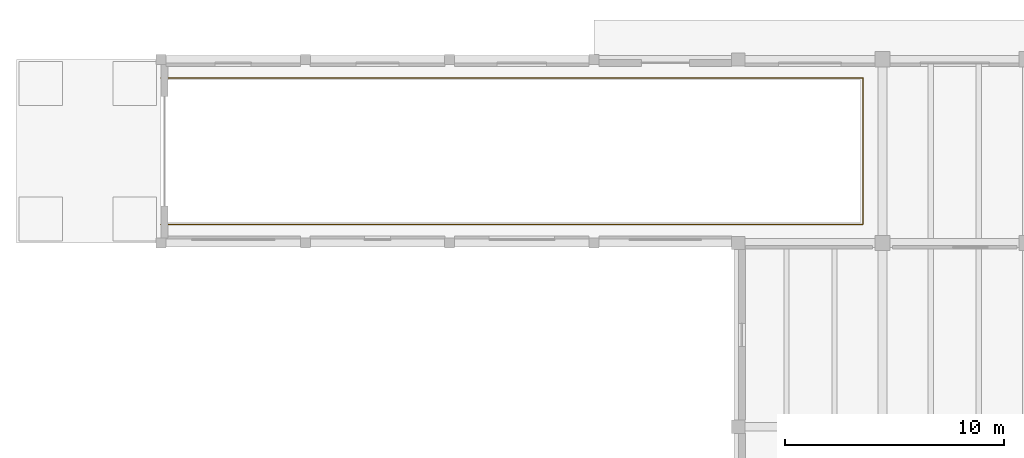
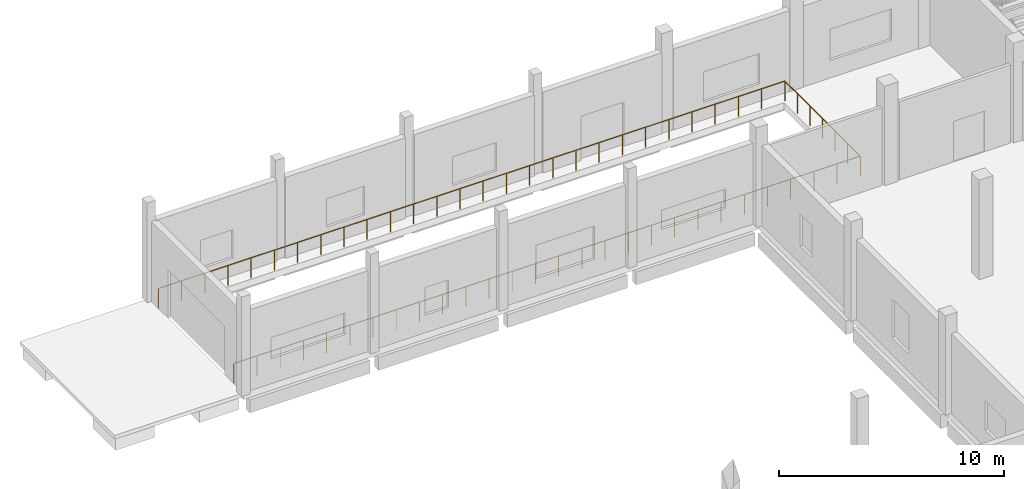
# One storey, part 58 of 64: 1 railing.
"""IFC4 building model written with IfcOpenShell, lengths in metres."""

from ifc_helpers import new_model, si_unit, direction, frame, origin, origin_2d, place, context, subcontext, project, spatial, circle, extrude, material, type_object, element, save


model = new_model("IFC4")

# Units and contexts
model_context = context("Model", 3, precision=1e-05, world=origin(), true_north=direction((0.0, 1.0)))
body_context = subcontext(model_context, "Body", "Model", "MODEL_VIEW")
ifc_project = project(units=[si_unit("LENGTHUNIT", "METRE"), si_unit("AREAUNIT", "SQUARE_METRE"), si_unit("VOLUMEUNIT", "CUBIC_METRE"), si_unit("PLANEANGLEUNIT", "RADIAN"), si_unit("MASSUNIT", "GRAM", prefix="KILO")], contexts=[model_context])

# Site, building, storey
site_placement = place(None, origin())
site = spatial("IfcSite", under=ifc_project, at=site_placement, CompositionType="ELEMENT")
building_placement = place(site_placement, origin())
building = spatial("IfcBuilding", under=site, at=building_placement, Name="Qaldarim Faculty of Natural and Applied Sciences", CompositionType="ELEMENT")
storey_placement = place(building_placement, origin())
storey = spatial("IfcBuildingStorey", under=building, at=storey_placement, Name="L00", CompositionType="ELEMENT", Elevation=0.0)

# Railing
ifc_material = material(Name="Architectural stainless steel 316", Category="steel")
railing_type = type_object("IfcRailingType", Name="ExteriorGuardBalustrade-1100", PredefinedType="BALUSTRADE", material=ifc_material)
railing_placement = place(storey_placement, frame((6.60009765625, 110.050048828125, 0.0)))
element("IfcRailing", 1, at=railing_placement, inside=storey, type_object=railing_type, Name="Safety guard balustrade GRD-RAMP-WELL-L00", PredefinedType="BALUSTRADE", context=body_context, shape_type="SweptSolid", body=[
    extrude(circle(Radius=0.02392578125, at=origin_2d()), frame((0.00390625, 0.0, 1.076171875), z_axis=(1.0, 0.0, 0.0), x_axis=(0.0, 1.0, 0.0)), (0.0, 0.0, 1.0), 32.091796875),
    extrude(circle(Radius=0.02392578125, at=origin_2d()), frame((32.099853515625, 0.00390625, 1.076171875), z_axis=(0.0, 1.0, 0.0), x_axis=(-1.0, 0.0, 0.0)), (0.0, 0.0, 1.0), 6.69189453125),
    extrude(circle(Radius=0.02392578125, at=origin_2d()), frame((32.095947265625, 6.699951171875, 1.076171875), z_axis=(-1.0, 0.0, 0.0), x_axis=(0.0, -1.0, 0.0)), (0.0, 0.0, 1.0), 32.091796875),
    extrude(circle(Radius=0.02099609375, at=origin_2d()), origin(), (0.0, 0.0, 1.0), 1.052001953125),
    extrude(circle(Radius=0.02099609375, at=origin_2d()), frame((1.18896484375, 0.0, 0.0)), (0.0, 0.0, 1.0), 1.052001953125),
    extrude(circle(Radius=0.02099609375, at=origin_2d()), frame((2.377685546875, 0.0, 0.0)), (0.0, 0.0, 1.0), 1.052001953125),
    extrude(circle(Radius=0.02099609375, at=origin_2d()), frame((3.566650390625, 0.0, 0.0)), (0.0, 0.0, 1.0), 1.052001953125),
    extrude(circle(Radius=0.02099609375, at=origin_2d()), frame((4.755615234375, 0.0, 0.0)), (0.0, 0.0, 1.0), 1.052001953125),
    extrude(circle(Radius=0.02099609375, at=origin_2d()), frame((5.9443359375, 0.0, 0.0)), (0.0, 0.0, 1.0), 1.052001953125),
    extrude(circle(Radius=0.02099609375, at=origin_2d()), frame((7.13330078125, 0.0, 0.0)), (0.0, 0.0, 1.0), 1.052001953125),
    extrude(circle(Radius=0.02099609375, at=origin_2d()), frame((8.322265625, 0.0, 0.0)), (0.0, 0.0, 1.0), 1.052001953125),
    extrude(circle(Radius=0.02099609375, at=origin_2d()), frame((9.510986328125, 0.0, 0.0)), (0.0, 0.0, 1.0), 1.052001953125),
    extrude(circle(Radius=0.02099609375, at=origin_2d()), frame((10.699951171875, 0.0, 0.0)), (0.0, 0.0, 1.0), 1.052001953125),
    extrude(circle(Radius=0.02099609375, at=origin_2d()), frame((11.888916015625, 0.0, 0.0)), (0.0, 0.0, 1.0), 1.052001953125),
    extrude(circle(Radius=0.02099609375, at=origin_2d()), frame((13.07763671875, 0.0, 0.0)), (0.0, 0.0, 1.0), 1.052001953125),
    extrude(circle(Radius=0.02099609375, at=origin_2d()), frame((14.2666015625, 0.0, 0.0)), (0.0, 0.0, 1.0), 1.052001953125),
    extrude(circle(Radius=0.02099609375, at=origin_2d()), frame((15.45556640625, 0.0, 0.0)), (0.0, 0.0, 1.0), 1.052001953125),
    extrude(circle(Radius=0.02099609375, at=origin_2d()), frame((16.644287109375, 0.0, 0.0)), (0.0, 0.0, 1.0), 1.052001953125),
    extrude(circle(Radius=0.02099609375, at=origin_2d()), frame((17.833251953125, 0.0, 0.0)), (0.0, 0.0, 1.0), 1.052001953125),
    extrude(circle(Radius=0.02099609375, at=origin_2d()), frame((19.022216796875, 0.0, 0.0)), (0.0, 0.0, 1.0), 1.052001953125),
    extrude(circle(Radius=0.02099609375, at=origin_2d()), frame((20.2109375, 0.0, 0.0)), (0.0, 0.0, 1.0), 1.052001953125),
    extrude(circle(Radius=0.02099609375, at=origin_2d()), frame((21.39990234375, 0.0, 0.0)), (0.0, 0.0, 1.0), 1.052001953125),
    extrude(circle(Radius=0.02099609375, at=origin_2d()), frame((22.5888671875, 0.0, 0.0)), (0.0, 0.0, 1.0), 1.052001953125),
    extrude(circle(Radius=0.02099609375, at=origin_2d()), frame((23.777587890625, 0.0, 0.0)), (0.0, 0.0, 1.0), 1.052001953125),
    extrude(circle(Radius=0.02099609375, at=origin_2d()), frame((24.966552734375, 0.0, 0.0)), (0.0, 0.0, 1.0), 1.052001953125),
    extrude(circle(Radius=0.02099609375, at=origin_2d()), frame((26.155517578125, 0.0, 0.0)), (0.0, 0.0, 1.0), 1.052001953125),
    extrude(circle(Radius=0.02099609375, at=origin_2d()), frame((27.34423828125, 0.0, 0.0)), (0.0, 0.0, 1.0), 1.052001953125),
    extrude(circle(Radius=0.02099609375, at=origin_2d()), frame((28.533203125, 0.0, 0.0)), (0.0, 0.0, 1.0), 1.052001953125),
    extrude(circle(Radius=0.02099609375, at=origin_2d()), frame((29.72216796875, 0.0, 0.0)), (0.0, 0.0, 1.0), 1.052001953125),
    extrude(circle(Radius=0.02099609375, at=origin_2d()), frame((30.910888671875, 0.0, 0.0)), (0.0, 0.0, 1.0), 1.052001953125),
    extrude(circle(Radius=0.02099609375, at=origin_2d()), frame((32.099853515625, 0.0, 0.0)), (0.0, 0.0, 1.0), 1.052001953125),
    extrude(circle(Radius=0.02099609375, at=origin_2d()), frame((32.099853515625, 1.11669921875, 0.0)), (0.0, 0.0, 1.0), 1.052001953125),
    extrude(circle(Radius=0.02099609375, at=origin_2d()), frame((32.099853515625, 2.2333984375, 0.0)), (0.0, 0.0, 1.0), 1.052001953125),
    extrude(circle(Radius=0.02099609375, at=origin_2d()), frame((32.099853515625, 3.35009765625, 0.0)), (0.0, 0.0, 1.0), 1.052001953125),
    extrude(circle(Radius=0.02099609375, at=origin_2d()), frame((32.099853515625, 4.466552734375, 0.0)), (0.0, 0.0, 1.0), 1.052001953125),
    extrude(circle(Radius=0.02099609375, at=origin_2d()), frame((32.099853515625, 5.583251953125, 0.0)), (0.0, 0.0, 1.0), 1.052001953125),
    extrude(circle(Radius=0.02099609375, at=origin_2d()), frame((32.099853515625, 6.699951171875, 0.0)), (0.0, 0.0, 1.0), 1.052001953125),
    extrude(circle(Radius=0.02099609375, at=origin_2d()), frame((30.910888671875, 6.699951171875, 0.0)), (0.0, 0.0, 1.0), 1.052001953125),
    extrude(circle(Radius=0.02099609375, at=origin_2d()), frame((29.72216796875, 6.699951171875, 0.0)), (0.0, 0.0, 1.0), 1.052001953125),
    extrude(circle(Radius=0.02099609375, at=origin_2d()), frame((28.533203125, 6.699951171875, 0.0)), (0.0, 0.0, 1.0), 1.052001953125),
    extrude(circle(Radius=0.02099609375, at=origin_2d()), frame((27.34423828125, 6.699951171875, 0.0)), (0.0, 0.0, 1.0), 1.052001953125),
    extrude(circle(Radius=0.02099609375, at=origin_2d()), frame((26.155517578125, 6.699951171875, 0.0)), (0.0, 0.0, 1.0), 1.052001953125),
    extrude(circle(Radius=0.02099609375, at=origin_2d()), frame((24.966552734375, 6.699951171875, 0.0)), (0.0, 0.0, 1.0), 1.052001953125),
    extrude(circle(Radius=0.02099609375, at=origin_2d()), frame((23.777587890625, 6.699951171875, 0.0)), (0.0, 0.0, 1.0), 1.052001953125),
    extrude(circle(Radius=0.02099609375, at=origin_2d()), frame((22.5888671875, 6.699951171875, 0.0)), (0.0, 0.0, 1.0), 1.052001953125),
    extrude(circle(Radius=0.02099609375, at=origin_2d()), frame((21.39990234375, 6.699951171875, 0.0)), (0.0, 0.0, 1.0), 1.052001953125),
    extrude(circle(Radius=0.02099609375, at=origin_2d()), frame((20.2109375, 6.699951171875, 0.0)), (0.0, 0.0, 1.0), 1.052001953125),
    extrude(circle(Radius=0.02099609375, at=origin_2d()), frame((19.022216796875, 6.699951171875, 0.0)), (0.0, 0.0, 1.0), 1.052001953125),
    extrude(circle(Radius=0.02099609375, at=origin_2d()), frame((17.833251953125, 6.699951171875, 0.0)), (0.0, 0.0, 1.0), 1.052001953125),
    extrude(circle(Radius=0.02099609375, at=origin_2d()), frame((16.644287109375, 6.699951171875, 0.0)), (0.0, 0.0, 1.0), 1.052001953125),
    extrude(circle(Radius=0.02099609375, at=origin_2d()), frame((15.45556640625, 6.699951171875, 0.0)), (0.0, 0.0, 1.0), 1.052001953125),
    extrude(circle(Radius=0.02099609375, at=origin_2d()), frame((14.2666015625, 6.699951171875, 0.0)), (0.0, 0.0, 1.0), 1.052001953125),
    extrude(circle(Radius=0.02099609375, at=origin_2d()), frame((13.07763671875, 6.699951171875, 0.0)), (0.0, 0.0, 1.0), 1.052001953125),
    extrude(circle(Radius=0.02099609375, at=origin_2d()), frame((11.888916015625, 6.699951171875, 0.0)), (0.0, 0.0, 1.0), 1.052001953125),
    extrude(circle(Radius=0.02099609375, at=origin_2d()), frame((10.699951171875, 6.699951171875, 0.0)), (0.0, 0.0, 1.0), 1.052001953125),
    extrude(circle(Radius=0.02099609375, at=origin_2d()), frame((9.510986328125, 6.699951171875, 0.0)), (0.0, 0.0, 1.0), 1.052001953125),
    extrude(circle(Radius=0.02099609375, at=origin_2d()), frame((8.322265625, 6.699951171875, 0.0)), (0.0, 0.0, 1.0), 1.052001953125),
    extrude(circle(Radius=0.02099609375, at=origin_2d()), frame((7.13330078125, 6.699951171875, 0.0)), (0.0, 0.0, 1.0), 1.052001953125),
    extrude(circle(Radius=0.02099609375, at=origin_2d()), frame((5.9443359375, 6.699951171875, 0.0)), (0.0, 0.0, 1.0), 1.052001953125),
    extrude(circle(Radius=0.02099609375, at=origin_2d()), frame((4.755615234375, 6.699951171875, 0.0)), (0.0, 0.0, 1.0), 1.052001953125),
    extrude(circle(Radius=0.02099609375, at=origin_2d()), frame((3.566650390625, 6.699951171875, 0.0)), (0.0, 0.0, 1.0), 1.052001953125),
    extrude(circle(Radius=0.02099609375, at=origin_2d()), frame((2.377685546875, 6.699951171875, 0.0)), (0.0, 0.0, 1.0), 1.052001953125),
    extrude(circle(Radius=0.02099609375, at=origin_2d()), frame((1.18896484375, 6.699951171875, 0.0)), (0.0, 0.0, 1.0), 1.052001953125),
    extrude(circle(Radius=0.02099609375, at=origin_2d()), frame((0.0, 6.699951171875, 0.0)), (0.0, 0.0, 1.0), 1.052001953125),
])

save(model, "model.ifc")
